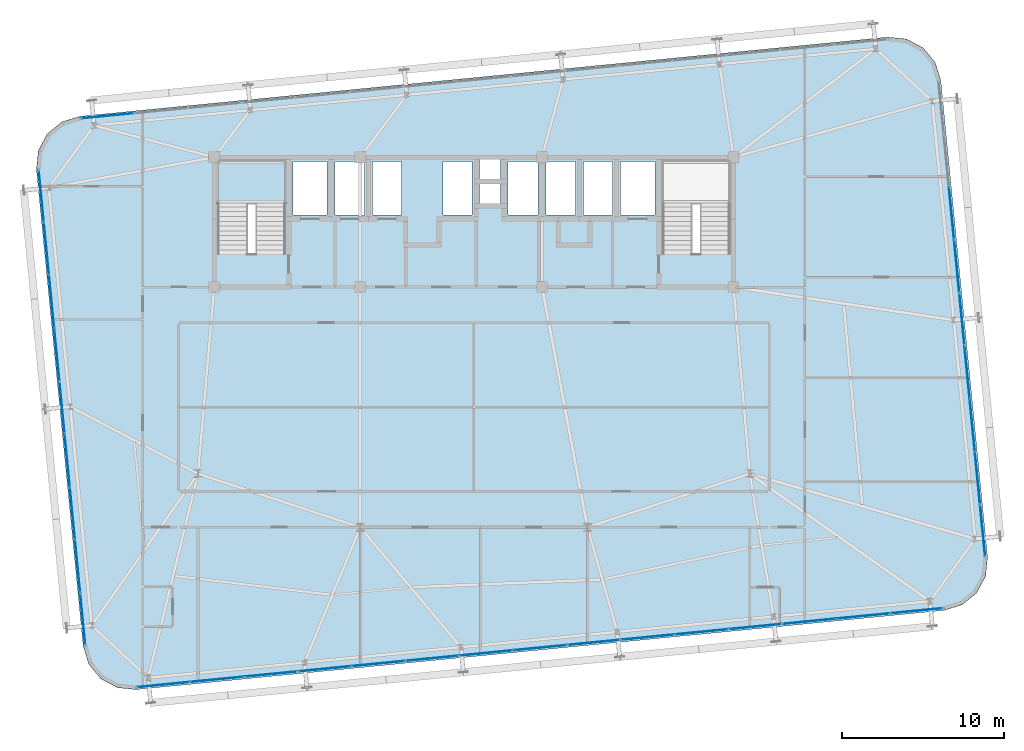
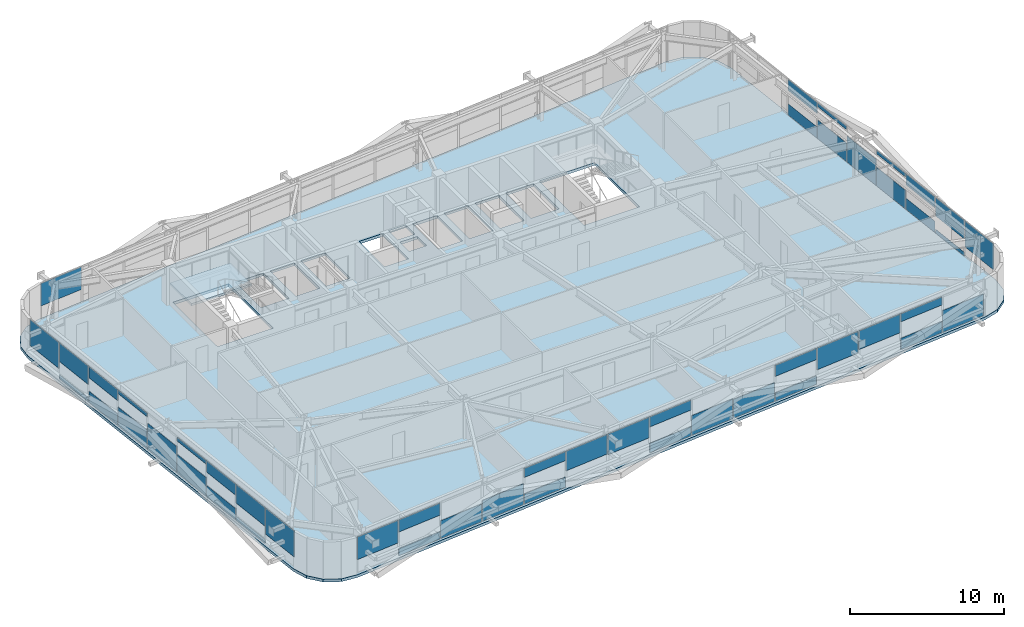
# One storey, part 36 of 52: 48 plates, 2 slabs, 5 elements without a shape of their own.
"""IFC4 building model written with IfcOpenShell, lengths in metres."""

import ifcopenshell
import ifcopenshell.guid

model = None  # the IFC model being written
_history = None  # IfcOwnerHistory: only IFC2X3 demands one
_inside = {}  # id of a spatial element -> (the spatial element, [elements in it])
_under = {}  # id of a project, library or spatial element -> (it, [spatial elements below it])
_declared = {}  # id of a project -> (the project, [libraries it declares])
_typed = {}  # id of a type object -> (the type object, [elements of that type])
_made_of = {}  # id of a material, layer set ... -> (it, [elements and type objects made of it])


def new_model(schema):
    """Start an empty IFC model of exactly this schema.

    Asked for "IFC4X3", IfcOpenShell would pick the latest addendum, in which some entities
    have other attributes; the version numbers below select the first issue.
    IFC2X3 requires an IfcOwnerHistory on every rooted entity: one is made here for all.
    """
    global model, _history
    if schema == "IFC4X3":
        model = ifcopenshell.file(schema_version=(4, 3, 0, 0))
    else:
        model = ifcopenshell.file(schema=schema)
    _inside.clear()
    _under.clear()
    _declared.clear()
    _typed.clear()
    _made_of.clear()
    _history = None
    if model.schema == "IFC2X3":
        org = make("IfcOrganization", Name="unknown")
        user = make(
            "IfcPersonAndOrganization",
            ThePerson=make("IfcPerson", FamilyName="unknown"),
            TheOrganization=org,
        )
        app = make(
            "IfcApplication",
            ApplicationDeveloper=org,
            Version="unknown",
            ApplicationFullName="unknown",
            ApplicationIdentifier="unknown",
        )
        _history = make(
            "IfcOwnerHistory",
            OwningUser=user,
            OwningApplication=app,
            ChangeAction="ADDED",
            CreationDate=0,
        )
    return model


def make(cls, **values):
    """One entity of the class cls with the attributes given. An attribute that is None is left unset."""
    return model.create_entity(
        cls, **{name: value for name, value in values.items() if value is not None}
    )


def rooted(cls, **values):
    """An entity with a GlobalId (a new one), such as an element, a storey or a relation."""
    return make(cls, GlobalId=ifcopenshell.guid.new(), OwnerHistory=_history, **values)


def si_unit(unit_type, name, prefix=None):
    """IfcSIUnit, for example si_unit("LENGTHUNIT", "METRE", prefix="MILLI")."""
    return make("IfcSIUnit", UnitType=unit_type, Prefix=prefix, Name=name)


def assignment(units):
    """IfcUnitAssignment: the units of a project."""
    return None if units is None else make("IfcUnitAssignment", Units=units)


def point(xyz):
    """IfcCartesianPoint."""
    return None if xyz is None else make("IfcCartesianPoint", Coordinates=xyz)


def direction(xyz):
    """IfcDirection."""
    return None if xyz is None else make("IfcDirection", DirectionRatios=xyz)


def frame(location, z_axis=None, x_axis=None):
    """IfcAxis2Placement3D, a coordinate frame: its origin and axes. An axis left out is left unset."""
    return make(
        "IfcAxis2Placement3D",
        Location=point(location),
        Axis=direction(z_axis),
        RefDirection=direction(x_axis),
    )


def frame_2d(location, x_axis=None):
    """IfcAxis2Placement2D, a coordinate frame in the plane: its origin and x axis."""
    return make(
        "IfcAxis2Placement2D", Location=point(location), RefDirection=direction(x_axis)
    )


def origin():
    """The frame at (0, 0, 0) with its axes left unset."""
    return frame((0.0, 0.0, 0.0))


def origin_2d():
    """The frame at (0, 0) in the plane with its x axis left unset."""
    return frame_2d((0.0, 0.0))


def place(relative_to, where):
    """IfcLocalPlacement: puts the frame where relative to a parent placement (None: the world)."""
    return make(
        "IfcLocalPlacement", PlacementRelTo=relative_to, RelativePlacement=where
    )


def context(
    kind, dimensions, precision=None, world=None, true_north=None, identifier=None
):
    """IfcGeometricRepresentationContext, for example the 3D "Model" context."""
    return make(
        "IfcGeometricRepresentationContext",
        ContextIdentifier=identifier,
        ContextType=kind,
        CoordinateSpaceDimension=dimensions,
        Precision=precision,
        WorldCoordinateSystem=world,
        TrueNorth=true_north,
    )


def subcontext(parent, identifier, kind, view, scale=None):
    """IfcGeometricRepresentationSubContext, for example "Body" below "Model"."""
    return make(
        "IfcGeometricRepresentationSubContext",
        ContextIdentifier=identifier,
        ContextType=kind,
        ParentContext=parent,
        TargetScale=scale,
        TargetView=view,
    )


def project(units=None, contexts=None):
    """IfcProject with its units and contexts."""
    return rooted(
        "IfcProject",
        Name="project",
        RepresentationContexts=contexts,
        UnitsInContext=assignment(units),
    )


def spatial(cls, under=None, at=None, **own):
    """A site, building, storey or space (cls), placed at a placement, below another one or the project."""
    s = rooted(cls, ObjectPlacement=at, **own)
    if under is not None:
        _under.setdefault(under.id(), (under, []))[1].append(s)
    return s


def polyline(points):
    """IfcPolyline through the points."""
    return make("IfcPolyline", Points=[point(p) for p in points])


def profile(cls, at=None, kind="AREA", **sizes):
    """A parametric profile (cls). Its sizes go by their IFC names, for example OverallWidth=200.0."""
    return make(cls, ProfileType=kind, Position=at, **sizes)


def rectangle(**sizes):
    """IfcRectangleProfileDef."""
    return profile("IfcRectangleProfileDef", **sizes)


def outline(outer, holes=None, kind="AREA"):
    """IfcArbitraryClosedProfileDef: a profile drawn as a closed curve; with holes, ...WithVoids."""
    if holes is None:
        return make("IfcArbitraryClosedProfileDef", ProfileType=kind, OuterCurve=outer)
    return make(
        "IfcArbitraryProfileDefWithVoids",
        ProfileType=kind,
        OuterCurve=outer,
        InnerCurves=holes,
    )


def extrude(swept, where, along, depth):
    """IfcExtrudedAreaSolid: the profile swept, set in the frame where, extruded along a direction by depth."""
    return make(
        "IfcExtrudedAreaSolid",
        SweptArea=swept,
        Position=where,
        ExtrudedDirection=direction(along),
        Depth=depth,
    )


def shape(context_of_items, identifier, shape_type, items):
    """IfcShapeRepresentation: the items that make up one representation, for example the "Body"."""
    return make(
        "IfcShapeRepresentation",
        ContextOfItems=context_of_items,
        RepresentationIdentifier=identifier,
        RepresentationType=shape_type,
        Items=items,
    )


def source(mapping_origin, context_of_items, identifier, shape_type, items):
    """IfcRepresentationMap: a shape defined once, which mapped items show again and again."""
    return make(
        "IfcRepresentationMap",
        MappingOrigin=mapping_origin,
        MappedRepresentation=shape(context_of_items, identifier, shape_type, items),
    )


def transform(
    local_origin,
    x_axis=None,
    y_axis=None,
    z_axis=None,
    scale=None,
    scale2=None,
    scale3=None,
    uniform=True,
):
    """IfcCartesianTransformationOperator3D, or its non-uniform kind. x_axis, y_axis, z_axis: its Axis1, 2, 3."""
    if uniform:
        return make(
            "IfcCartesianTransformationOperator3D",
            Axis1=direction(x_axis),
            Axis2=direction(y_axis),
            LocalOrigin=point(local_origin),
            Scale=scale,
            Axis3=direction(z_axis),
        )
    return make(
        "IfcCartesianTransformationOperator3DnonUniform",
        Axis1=direction(x_axis),
        Axis2=direction(y_axis),
        LocalOrigin=point(local_origin),
        Scale=scale,
        Axis3=direction(z_axis),
        Scale2=scale2,
        Scale3=scale3,
    )


def mapped(mapping_source, mapping_target):
    """IfcMappedItem: shows the shape of a source again, moved by a transform."""
    return make(
        "IfcMappedItem", MappingSource=mapping_source, MappingTarget=mapping_target
    )


def material(Name=None, Category=None):
    """IfcMaterial."""
    return make("IfcMaterial", Name=Name, Category=Category)


def layer(
    of_material, thickness, ventilated=None, Name=None, Category=None, Priority=None
):
    """IfcMaterialLayer: one layer of a wall or slab, of a material (None: an air gap)."""
    return make(
        "IfcMaterialLayer",
        Material=of_material,
        LayerThickness=thickness,
        IsVentilated=ventilated,
        Name=Name,
        Category=Category,
        Priority=Priority,
    )


def layer_set(layers, Name=None):
    """IfcMaterialLayerSet."""
    return make("IfcMaterialLayerSet", MaterialLayers=layers, LayerSetName=Name)


def made_of(thing, what):
    """Note that an element or type object is made of a material, layer set ...; save() writes the relation."""
    if what is not None:
        _made_of.setdefault(what.id(), (what, []))[1].append(thing)
    return thing


def type_object(cls, material=None, **own):
    """A type object (cls), such as IfcWallType, which elements share."""
    return made_of(rooted(cls, **own), material)


def element(
    cls,
    number,
    at=None,
    inside=None,
    cuts=None,
    type_object=None,
    material=None,
    context=None,
    identifier="Body",
    shape_type=None,
    held_by="IfcProductDefinitionShape",
    body=None,
    shapes=None,
    **own,
):
    """One element of the class cls, such as IfcWall. Its Tag is "e" and its number.

    at: its placement. inside: the storey or other place that contains it. cuts: it is an
    opening in that element (IfcRelVoidsElement). A single representation is given by context,
    identifier, shape_type and body (its items); several are given by shapes. held_by: the class
    of the entity that holds the representations. save() writes the other relations.
    """
    e = rooted(cls, Tag="e%d" % number, ObjectPlacement=at, **own)
    if body is not None:
        shapes = [shape(context, identifier, shape_type, body)]
    if shapes is not None:
        e.Representation = make(held_by, Representations=shapes)
    if inside is not None:
        _inside.setdefault(inside.id(), (inside, []))[1].append(e)
    if cuts is not None:
        rooted(
            "IfcRelVoidsElement", RelatingBuildingElement=cuts, RelatedOpeningElement=e
        )
    if type_object is not None:
        _typed.setdefault(type_object.id(), (type_object, []))[1].append(e)
    return made_of(e, material)


def aggregate(whole, parts):
    """IfcRelAggregates: a whole, such as a stair, and the parts it consists of."""
    return rooted("IfcRelAggregates", RelatingObject=whole, RelatedObjects=parts)


def save(model, path):
    """Write the relations noted so far, then the file.

    IfcRelAggregates (storeys below a building ...), IfcRelContainedInSpatialStructure (elements
    in a storey), IfcRelDefinesByType, IfcRelAssociatesMaterial and IfcRelDeclares: one each for
    every whole, place, type object, material and project.
    """
    for whole, parts in _under.values():
        aggregate(whole, parts)
    for where, things in _inside.values():
        rooted(
            "IfcRelContainedInSpatialStructure",
            RelatedElements=things,
            RelatingStructure=where,
        )
    for kind, things in _typed.values():
        rooted("IfcRelDefinesByType", RelatedObjects=things, RelatingType=kind)
    for what, things in _made_of.values():
        rooted("IfcRelAssociatesMaterial", RelatedObjects=things, RelatingMaterial=what)
    for by, libraries in _declared.values():
        rooted("IfcRelDeclares", RelatingContext=by, RelatedDefinitions=libraries)
    model.write(path)


model = new_model("IFC4")

# Units and contexts
model_context = context("Model", 3, precision=1e-05, world=origin(), true_north=direction((0.0, 1.0)))
body_context = subcontext(model_context, "Body", "Model", "MODEL_VIEW")
ifc_project = project(units=[si_unit("LENGTHUNIT", "METRE"), si_unit("AREAUNIT", "SQUARE_METRE"), si_unit("VOLUMEUNIT", "CUBIC_METRE"), si_unit("PLANEANGLEUNIT", "RADIAN"), si_unit("MASSUNIT", "GRAM", prefix="KILO")], contexts=[model_context])

# Site, building, storey
site_placement = place(None, origin())
site = spatial("IfcSite", under=ifc_project, at=site_placement, CompositionType="ELEMENT")
building_placement = place(site_placement, origin())
building = spatial("IfcBuilding", under=site, at=building_placement, Name="Taldren Reach Tower", CompositionType="ELEMENT")
storey_placement = place(building_placement, frame((0.0, 0.0, 74.550048828125)))
storey = spatial("IfcBuildingStorey", under=building, at=storey_placement, Name="L22", CompositionType="ELEMENT", Elevation=74.550048828125)

# Slab
ifc_material_1 = material(Name="Concrete N40 (40 MPa)", Category="concrete")
ifc_layer_1 = layer(ifc_material_1, 0.219970703125)
ifc_layer_set_1 = layer_set([ifc_layer_1], Name="Concrete N40 (40 MPa)")
slab_type_1 = type_object("IfcSlabType", Name="SL-FLR-220", PredefinedType="FLOOR", material=ifc_layer_set_1)
slab_1_placement = place(storey_placement, frame((0.0, 0.0, -0.219970703125)))
element("IfcSlab", 1, at=slab_1_placement, inside=storey, type_object=slab_type_1, Name="Suspended floor slab L22", PredefinedType="FLOOR", context=body_context, shape_type="SweptSolid", body=[
    extrude(outline(polyline([(63.962890625, 4.07421875), (65.0830078125, 4.41357421875), (65.98828125, 5.15576171875), (66.54052734375, 6.187744140625), (66.65576171875, 7.352783203125), (63.777099609375, 36.7119140625), (63.437744140625, 37.832275390625), (62.695556640625, 38.7373046875), (61.663330078125, 39.28955078125), (60.49853515625, 39.40478515625), (10.7373046875, 34.525634765625), (9.616943359375, 34.1865234375), (8.711669921875, 33.4443359375), (8.159423828125, 32.412109375), (8.044189453125, 31.247314453125), (10.923095703125, 1.88818359375), (11.26220703125, 0.767822265625), (12.00439453125, -0.137451171875), (13.03662109375, -0.689697265625), (14.201416015625, -0.804931640625), (63.962890625, 4.07421875)]), holes=[polyline([(19.219970703125, 26.050048828125), (23.3798828125, 26.050048828125), (23.3798828125, 31.820068359375), (19.219970703125, 31.820068359375), (19.219970703125, 26.050048828125)]), polyline([(46.6201171875, 26.050048828125), (50.780029296875, 26.050048828125), (50.780029296875, 31.820068359375), (46.6201171875, 31.820068359375), (46.6201171875, 26.050048828125)]), polyline([(23.85009765625, 28.449951171875), (25.949951171875, 28.449951171875), (25.949951171875, 31.75), (23.85009765625, 31.75), (23.85009765625, 28.449951171875)]), polyline([(44.050048828125, 28.449951171875), (46.14990234375, 28.449951171875), (46.14990234375, 31.75), (44.050048828125, 31.75), (44.050048828125, 28.449951171875)]), polyline([(26.449951171875, 28.449951171875), (28.25, 28.449951171875), (28.25, 31.75), (26.449951171875, 31.75), (26.449951171875, 28.449951171875)]), polyline([(28.75, 28.449951171875), (30.550048828125, 28.449951171875), (30.550048828125, 31.75), (28.75, 31.75), (28.75, 28.449951171875)]), polyline([(33.10009765625, 28.449951171875), (34.89990234375, 28.449951171875), (34.89990234375, 31.75), (33.10009765625, 31.75), (33.10009765625, 28.449951171875)]), polyline([(37.10009765625, 28.449951171875), (38.949951171875, 28.449951171875), (38.949951171875, 31.75), (37.10009765625, 31.75), (37.10009765625, 28.449951171875)]), polyline([(39.449951171875, 28.449951171875), (41.25, 28.449951171875), (41.25, 31.75), (39.449951171875, 31.75), (39.449951171875, 28.449951171875)]), polyline([(41.75, 28.449951171875), (43.550048828125, 28.449951171875), (43.550048828125, 31.75), (41.75, 31.75), (41.75, 28.449951171875)]), polyline([(35.35009765625, 30.64990234375), (36.64990234375, 30.64990234375), (36.64990234375, 31.85009765625), (35.35009765625, 31.85009765625), (35.35009765625, 30.64990234375)]), polyline([(35.35009765625, 29.14990234375), (36.64990234375, 29.14990234375), (36.64990234375, 30.35009765625), (35.35009765625, 30.35009765625), (35.35009765625, 29.14990234375)])]), origin(), (0.0, 0.0, 1.0), 0.219970703125),
])

# Stair, slab
ifc_material_2 = material(Name="Concrete S50 (50 MPa)", Category="concrete")
stair_type = type_object("IfcStairType", Name="ST-HT-315", PredefinedType="HALF_TURN_STAIR", material=ifc_material_2)
stair_placement = place(storey_placement, origin())
stair = element("IfcStair", 2, at=stair_placement, inside=storey, type_object=stair_type, Name="Fire-isolated exit stair ST1 L22", PredefinedType="HALF_TURN_STAIR")
ifc_layer_2 = layer(ifc_material_2, 0.179931640625)
ifc_layer_set_2 = layer_set([ifc_layer_2], Name="Concrete S50 (50 MPa)")
slab_type_2 = type_object("IfcSlabType", Name="SL-LAND-180", PredefinedType="LANDING", material=ifc_layer_set_2)
slab_2_placement = place(storey_placement, frame((0.0, 0.0, 1.39501953125)))
slab_2 = element("IfcSlab", 3, at=slab_2_placement, type_object=slab_type_2, Name="ST1 landing 1", PredefinedType="LANDING", context=body_context, shape_type="SweptSolid", body=[
    extrude(outline(polyline([(19.0400390625, 29.135009765625), (23.56005859375, 29.135009765625), (23.56005859375, 31.8701171875), (19.0400390625, 31.8701171875), (19.0400390625, 29.135009765625)])), origin(), (0.0, 0.0, 1.0), 0.179931640625),
])
aggregate(stair, [slab_2])

# Curtain wall, plates
ifc_material_3 = material(Name="Aluminium and Low-E Glass Unitised System", Category="aluminium")
ifc_layer_3 = layer(ifc_material_3, 0.159912109375)
ifc_layer_set_3 = layer_set([ifc_layer_3], Name="Aluminium and Low-E Glass Unitised System")
curtain_wall_type = type_object("IfcCurtainWallType", Name="CW-SYS-3", PredefinedType="NOTDEFINED", material=ifc_layer_set_3)
curtain_wall_1_placement = place(storey_placement, origin())
curtain_wall_1 = element("IfcCurtainWall", 4, at=curtain_wall_1_placement, inside=storey, type_object=curtain_wall_type, Name="Unitised curtain wall CW-L22-S", PredefinedType="NOTDEFINED")
ifc_material_4 = material(Name="Solar-Control Double Glazed IGU", Category="glass")
ifc_layer_4 = layer(ifc_material_4, 0.031982421875)
ifc_layer_set_4 = layer_set([ifc_layer_4], Name="Solar-Control Double Glazed IGU")
plate_type = type_object("IfcPlateType", Name="CW-PNL-IGU32", PredefinedType="CURTAIN_PANEL", material=ifc_layer_set_4)
shared_shape_1 = source(origin(), body_context, "Body", "SweptSolid", [
    extrude(rectangle(XDim=3.23583984375, YDim=0.031982421875, at=origin_2d()), origin(), (0.0, 0.0, 1.0), 1.72509765625),
])
plate_1_placement = place(storey_placement, frame((62.274169921875, 4.04931640625, 0.054931640625), z_axis=(0.0, 0.0, 1.0), x_axis=(0.995227390247, 0.097582999046, 0.0)))
plate_1 = element("IfcPlate", 5, at=plate_1_placement, type_object=plate_type, Name="CW-3 panel 15.1 part 1", PredefinedType="CURTAIN_PANEL", context=body_context, shape_type="MappedRepresentation", body=[
    mapped(shared_shape_1, transform((0.0, 0.0, 0.0), scale=1.0)),
])
shared_shape_2 = source(origin(), body_context, "Body", "SweptSolid", [
    extrude(rectangle(XDim=3.268310546875, YDim=0.031982421875, at=origin_2d()), origin(), (0.0, 0.0, 1.0), 0.88818359375),
])
plate_2_placement = place(storey_placement, frame((58.972900390625, 3.7255859375, 0.054931640625), z_axis=(0.0, 0.0, 1.0), x_axis=(0.995227390247, 0.097582999046, 0.0)))
plate_2 = element("IfcPlate", 6, at=plate_2_placement, type_object=plate_type, Name="CW-3 panel 14.1 part 1", PredefinedType="CURTAIN_PANEL", context=body_context, shape_type="MappedRepresentation", body=[
    mapped(shared_shape_2, transform((0.0, 0.0, 0.0), scale=1.0)),
])
shared_shape_3 = source(origin(), body_context, "Body", "SweptSolid", [
    extrude(rectangle(XDim=3.268310546875, YDim=0.031982421875, at=origin_2d()), origin(), (0.0, 0.0, 1.0), 0.626953125),
])
plate_3_placement = place(storey_placement, frame((58.972900390625, 3.7255859375, 2.248046875), z_axis=(0.0, 0.0, 1.0), x_axis=(0.995227390247, 0.097582999046, 0.0)))
plate_3 = element("IfcPlate", 7, at=plate_3_placement, type_object=plate_type, Name="CW-3 panel 14.1 part 2", PredefinedType="CURTAIN_PANEL", context=body_context, shape_type="MappedRepresentation", body=[
    mapped(shared_shape_3, transform((0.0, 0.0, 0.0), scale=1.0)),
])
shared_shape_4 = source(origin(), body_context, "Body", "SweptSolid", [
    extrude(rectangle(XDim=3.268310546875, YDim=0.031982421875, at=origin_2d()), origin(), (0.0, 0.0, 1.0), 1.4638671875),
])
plate_4_placement = place(storey_placement, frame((55.655517578125, 3.400390625, 1.4111328125), z_axis=(0.0, 0.0, 1.0), x_axis=(0.995227390247, 0.097582999046, 0.0)))
plate_4 = element("IfcPlate", 8, at=plate_4_placement, type_object=plate_type, Name="CW-3 panel 13.1 part 1", PredefinedType="CURTAIN_PANEL", context=body_context, shape_type="MappedRepresentation", body=[
    mapped(shared_shape_4, transform((0.0, 0.0, 0.0), scale=1.0)),
])
shared_shape_5 = source(origin(), body_context, "Body", "SweptSolid", [
    extrude(rectangle(XDim=3.268310546875, YDim=0.031982421875, at=origin_2d()), origin(), (0.0, 0.0, 1.0), 1.704833984375),
])
plate_5_placement = place(storey_placement, frame((52.338134765625, 3.0751953125, 1.169921875), z_axis=(0.0, 0.0, 1.0), x_axis=(0.995227390247, 0.097582999046, 0.0)))
plate_5 = element("IfcPlate", 9, at=plate_5_placement, type_object=plate_type, Name="CW-3 panel 12.1 part 1", PredefinedType="CURTAIN_PANEL", context=body_context, shape_type="MappedRepresentation", body=[
    mapped(shared_shape_5, transform((0.0, 0.0, 0.0), scale=1.0)),
])
shared_shape_6 = source(origin(), body_context, "Body", "SweptSolid", [
    extrude(rectangle(XDim=3.268310546875, YDim=0.031982421875, at=origin_2d()), origin(), (0.0, 0.0, 1.0), 0.647216796875),
])
plate_6_placement = place(storey_placement, frame((49.020751953125, 2.749755859375, 0.05517578125), z_axis=(0.0, 0.0, 1.0), x_axis=(0.995227390247, 0.097582999046, 0.0)))
plate_6 = element("IfcPlate", 10, at=plate_6_placement, type_object=plate_type, Name="CW-3 panel 11.1 part 1", PredefinedType="CURTAIN_PANEL", context=body_context, shape_type="MappedRepresentation", body=[
    mapped(shared_shape_6, transform((0.0, 0.0, 0.0), scale=1.0)),
])
shared_shape_7 = source(origin(), body_context, "Body", "SweptSolid", [
    extrude(rectangle(XDim=3.268310546875, YDim=0.031982421875, at=origin_2d()), origin(), (0.0, 0.0, 1.0), 0.867919921875),
])
plate_7_placement = place(storey_placement, frame((49.020751953125, 2.749755859375, 2.0068359375), z_axis=(0.0, 0.0, 1.0), x_axis=(0.995227390247, 0.097582999046, 0.0)))
plate_7 = element("IfcPlate", 11, at=plate_7_placement, type_object=plate_type, Name="CW-3 panel 11.1 part 2", PredefinedType="CURTAIN_PANEL", context=body_context, shape_type="MappedRepresentation", body=[
    mapped(shared_shape_7, transform((0.0, 0.0, 0.0), scale=1.0)),
])
shared_shape_8 = source(origin(), body_context, "Body", "SweptSolid", [
    extrude(rectangle(XDim=3.268310546875, YDim=0.031982421875, at=origin_2d()), origin(), (0.0, 0.0, 1.0), 1.484130859375),
])
plate_8_placement = place(storey_placement, frame((45.703369140625, 2.424560546875, 0.0546875), z_axis=(0.0, 0.0, 1.0), x_axis=(0.995227390247, 0.097582999046, 0.0)))
plate_8 = element("IfcPlate", 12, at=plate_8_placement, type_object=plate_type, Name="CW-3 panel 10.1 part 1", PredefinedType="CURTAIN_PANEL", context=body_context, shape_type="MappedRepresentation", body=[
    mapped(shared_shape_8, transform((0.0, 0.0, 0.0), scale=1.0)),
])
shared_shape_9 = source(origin(), body_context, "Body", "SweptSolid", [
    extrude(rectangle(XDim=3.268310546875, YDim=0.031982421875, at=origin_2d()), origin(), (0.0, 0.0, 1.0), 1.564453125),
])
plate_9_placement = place(storey_placement, frame((42.3857421875, 2.099365234375, 0.054931640625), z_axis=(0.0, 0.0, 1.0), x_axis=(0.995227390247, 0.097582999046, 0.0)))
plate_9 = element("IfcPlate", 13, at=plate_9_placement, type_object=plate_type, Name="CW-3 panel 9.1 part 1", PredefinedType="CURTAIN_PANEL", context=body_context, shape_type="MappedRepresentation", body=[
    mapped(shared_shape_9, transform((0.0, 0.0, 0.0), scale=1.0)),
])
shared_shape_10 = source(origin(), body_context, "Body", "SweptSolid", [
    extrude(rectangle(XDim=3.268310546875, YDim=0.031982421875, at=origin_2d()), origin(), (0.0, 0.0, 1.0), 0.7275390625),
])
plate_10_placement = place(storey_placement, frame((39.068359375, 1.77392578125, 0.054931640625), z_axis=(0.0, 0.0, 1.0), x_axis=(0.995227390247, 0.097582999046, 0.0)))
plate_10 = element("IfcPlate", 14, at=plate_10_placement, type_object=plate_type, Name="CW-3 panel 8.1 part 1", PredefinedType="CURTAIN_PANEL", context=body_context, shape_type="MappedRepresentation", body=[
    mapped(shared_shape_10, transform((0.0, 0.0, 0.0), scale=1.0)),
])
shared_shape_11 = source(origin(), body_context, "Body", "SweptSolid", [
    extrude(rectangle(XDim=3.268310546875, YDim=0.031982421875, at=origin_2d()), origin(), (0.0, 0.0, 1.0), 0.78759765625),
])
plate_11_placement = place(storey_placement, frame((39.068359375, 1.77392578125, 2.08740234375), z_axis=(0.0, 0.0, 1.0), x_axis=(0.995227390247, 0.097582999046, 0.0)))
plate_11 = element("IfcPlate", 15, at=plate_11_placement, type_object=plate_type, Name="CW-3 panel 8.1 part 2", PredefinedType="CURTAIN_PANEL", context=body_context, shape_type="MappedRepresentation", body=[
    mapped(shared_shape_11, transform((0.0, 0.0, 0.0), scale=1.0)),
])
shared_shape_12 = source(origin(), body_context, "Body", "SweptSolid", [
    extrude(rectangle(XDim=3.268310546875, YDim=0.031982421875, at=origin_2d()), origin(), (0.0, 0.0, 1.0), 1.62451171875),
])
plate_12_placement = place(storey_placement, frame((35.7509765625, 1.44873046875, 1.25048828125), z_axis=(0.0, 0.0, 1.0), x_axis=(0.995227390247, 0.097582999046, 0.0)))
plate_12 = element("IfcPlate", 16, at=plate_12_placement, type_object=plate_type, Name="CW-3 panel 7.1 part 1", PredefinedType="CURTAIN_PANEL", context=body_context, shape_type="MappedRepresentation", body=[
    mapped(shared_shape_12, transform((0.0, 0.0, 0.0), scale=1.0)),
])
shared_shape_13 = source(origin(), body_context, "Body", "SweptSolid", [
    extrude(rectangle(XDim=3.268310546875, YDim=0.031982421875, at=origin_2d()), origin(), (0.0, 0.0, 1.0), 1.544189453125),
])
plate_13_placement = place(storey_placement, frame((32.43359375, 1.12353515625, 1.3310546875), z_axis=(0.0, 0.0, 1.0), x_axis=(0.995227390247, 0.097582999046, 0.0)))
plate_13 = element("IfcPlate", 17, at=plate_13_placement, type_object=plate_type, Name="CW-3 panel 6.1 part 1", PredefinedType="CURTAIN_PANEL", context=body_context, shape_type="MappedRepresentation", body=[
    mapped(shared_shape_13, transform((0.0, 0.0, 0.0), scale=1.0)),
])
shared_shape_14 = source(origin(), body_context, "Body", "SweptSolid", [
    extrude(rectangle(XDim=3.268310546875, YDim=0.031982421875, at=origin_2d()), origin(), (0.0, 0.0, 1.0), 0.807861328125),
])
plate_14_placement = place(storey_placement, frame((29.1162109375, 0.798095703125, 0.05517578125), z_axis=(0.0, 0.0, 1.0), x_axis=(0.995227390247, 0.097582999046, 0.0)))
plate_14 = element("IfcPlate", 18, at=plate_14_placement, type_object=plate_type, Name="CW-3 panel 5.1 part 1", PredefinedType="CURTAIN_PANEL", context=body_context, shape_type="MappedRepresentation", body=[
    mapped(shared_shape_14, transform((0.0, 0.0, 0.0), scale=1.0)),
])
shared_shape_15 = source(origin(), body_context, "Body", "SweptSolid", [
    extrude(rectangle(XDim=3.268310546875, YDim=0.031982421875, at=origin_2d()), origin(), (0.0, 0.0, 1.0), 0.707275390625),
])
plate_15_placement = place(storey_placement, frame((29.1162109375, 0.798095703125, 2.16748046875), z_axis=(0.0, 0.0, 1.0), x_axis=(0.995227390247, 0.097582999046, 0.0)))
plate_15 = element("IfcPlate", 19, at=plate_15_placement, type_object=plate_type, Name="CW-3 panel 5.1 part 2", PredefinedType="CURTAIN_PANEL", context=body_context, shape_type="MappedRepresentation", body=[
    mapped(shared_shape_15, transform((0.0, 0.0, 0.0), scale=1.0)),
])
shared_shape_16 = source(origin(), body_context, "Body", "SweptSolid", [
    extrude(rectangle(XDim=3.268310546875, YDim=0.031982421875, at=origin_2d()), origin(), (0.0, 0.0, 1.0), 1.644775390625),
])
plate_16_placement = place(storey_placement, frame((25.798828125, 0.472900390625, 0.05517578125), z_axis=(0.0, 0.0, 1.0), x_axis=(0.995227390247, 0.097582999046, 0.0)))
plate_16 = element("IfcPlate", 20, at=plate_16_placement, type_object=plate_type, Name="CW-3 panel 4.1 part 1", PredefinedType="CURTAIN_PANEL", context=body_context, shape_type="MappedRepresentation", body=[
    mapped(shared_shape_16, transform((0.0, 0.0, 0.0), scale=1.0)),
])
shared_shape_17 = source(origin(), body_context, "Body", "SweptSolid", [
    extrude(rectangle(XDim=3.268310546875, YDim=0.031982421875, at=origin_2d()), origin(), (0.0, 0.0, 1.0), 1.40380859375),
])
plate_17_placement = place(storey_placement, frame((22.481201171875, 0.147705078125, 0.054931640625), z_axis=(0.0, 0.0, 1.0), x_axis=(0.995227390247, 0.097582999046, 0.0)))
plate_17 = element("IfcPlate", 21, at=plate_17_placement, type_object=plate_type, Name="CW-3 panel 3.1 part 1", PredefinedType="CURTAIN_PANEL", context=body_context, shape_type="MappedRepresentation", body=[
    mapped(shared_shape_17, transform((0.0, 0.0, 0.0), scale=1.0)),
])
shared_shape_18 = source(origin(), body_context, "Body", "SweptSolid", [
    extrude(rectangle(XDim=3.268310546875, YDim=0.031982421875, at=origin_2d()), origin(), (0.0, 0.0, 1.0), 0.56689453125),
])
plate_18_placement = place(storey_placement, frame((19.163818359375, -0.177734375, 0.054931640625), z_axis=(0.0, 0.0, 1.0), x_axis=(0.995227390247, 0.097582999046, 0.0)))
plate_18 = element("IfcPlate", 22, at=plate_18_placement, type_object=plate_type, Name="CW-3 panel 2.1 part 1", PredefinedType="CURTAIN_PANEL", context=body_context, shape_type="MappedRepresentation", body=[
    mapped(shared_shape_18, transform((0.0, 0.0, 0.0), scale=1.0)),
])
shared_shape_19 = source(origin(), body_context, "Body", "SweptSolid", [
    extrude(rectangle(XDim=3.268310546875, YDim=0.031982421875, at=origin_2d()), origin(), (0.0, 0.0, 1.0), 0.9482421875),
])
plate_19_placement = place(storey_placement, frame((19.163818359375, -0.177734375, 1.9267578125), z_axis=(0.0, 0.0, 1.0), x_axis=(0.995227390247, 0.097582999046, 0.0)))
plate_19 = element("IfcPlate", 23, at=plate_19_placement, type_object=plate_type, Name="CW-3 panel 2.1 part 2", PredefinedType="CURTAIN_PANEL", context=body_context, shape_type="MappedRepresentation", body=[
    mapped(shared_shape_19, transform((0.0, 0.0, 0.0), scale=1.0)),
])
shared_shape_20 = source(origin(), body_context, "Body", "SweptSolid", [
    extrude(rectangle(XDim=3.23583984375, YDim=0.031982421875, at=origin_2d()), origin(), (0.0, 0.0, 1.0), 1.78515625),
])
plate_20_placement = place(storey_placement, frame((15.862548828125, -0.501220703125, 1.08984375), z_axis=(0.0, 0.0, 1.0), x_axis=(0.995227390247, 0.097582999046, 0.0)))
plate_20 = element("IfcPlate", 24, at=plate_20_placement, type_object=plate_type, Name="CW-3 panel 1.1 part 1", PredefinedType="CURTAIN_PANEL", context=body_context, shape_type="MappedRepresentation", body=[
    mapped(shared_shape_20, transform((0.0, 0.0, 0.0), scale=1.0)),
])
aggregate(curtain_wall_1, [plate_20, plate_18, plate_19, plate_17, plate_16, plate_14, plate_15, plate_13, plate_12, plate_10, plate_11, plate_9, plate_8, plate_6, plate_7, plate_5, plate_4, plate_2, plate_3, plate_1])

# Curtain wall, plate
curtain_wall_2_placement = place(storey_placement, origin())
curtain_wall_2 = element("IfcCurtainWall", 25, at=curtain_wall_2_placement, inside=storey, type_object=curtain_wall_type, Name="Unitised curtain wall CW-L22-N", PredefinedType="NOTDEFINED")
plate_21_placement = place(storey_placement, frame((12.42578125, 34.550537109375, 1.08984375), z_axis=(0.0, 0.0, 1.0), x_axis=(-0.995227390247, -0.097582999046, 0.0)))
plate_21 = element("IfcPlate", 26, at=plate_21_placement, type_object=plate_type, Name="CW-3 panel 15.1 part 1", PredefinedType="CURTAIN_PANEL", context=body_context, shape_type="MappedRepresentation", body=[
    mapped(shared_shape_20, transform((0.0, 0.0, 0.0), scale=1.0)),
])
aggregate(curtain_wall_2, [plate_21])

# Curtain wall, plates
curtain_wall_3_placement = place(storey_placement, origin())
curtain_wall_3 = element("IfcCurtainWall", 27, at=curtain_wall_3_placement, inside=storey, type_object=curtain_wall_type, Name="Unitised curtain wall CW-L22-W", PredefinedType="NOTDEFINED")
shared_shape_21 = source(origin(), body_context, "Body", "SweptSolid", [
    extrude(rectangle(XDim=3.18017578125, YDim=0.031982421875, at=origin_2d()), origin(), (0.0, 0.0, 1.0), 2.049560546875),
])
plate_22_placement = place(storey_placement, frame((8.34521484375, 29.61376953125, 0.8251953125), z_axis=(0.0, 0.0, 1.0), x_axis=(0.09758274098, -0.99522741555, 0.0)))
plate_22 = element("IfcPlate", 28, at=plate_22_placement, type_object=plate_type, Name="CW-3 panel 1.1 part 1", PredefinedType="CURTAIN_PANEL", context=body_context, shape_type="MappedRepresentation", body=[
    mapped(shared_shape_21, transform((0.0, 0.0, 0.0), scale=1.0)),
])
plate_23_placement = place(storey_placement, frame((10.90087890625, 3.549072265625, 0.8251953125), z_axis=(0.0, 0.0, 1.0), x_axis=(0.09758274098, -0.99522741555, 0.0)))
plate_23 = element("IfcPlate", 29, at=plate_23_placement, type_object=plate_type, Name="CW-3 panel 9.1 part 1", PredefinedType="CURTAIN_PANEL", context=body_context, shape_type="MappedRepresentation", body=[
    mapped(shared_shape_21, transform((0.0, 0.0, 0.0), scale=1.0)),
])

# Curtain wall, plate
curtain_wall_4_placement = place(storey_placement, origin())
curtain_wall_4 = element("IfcCurtainWall", 30, at=curtain_wall_4_placement, inside=storey, type_object=curtain_wall_type, Name="Unitised curtain wall CW-L22-E", PredefinedType="NOTDEFINED")
plate_24_placement = place(storey_placement, frame((66.35498046875, 8.986328125, 0.8251953125), z_axis=(0.0, 0.0, 1.0), x_axis=(-0.09758274098, 0.99522741555, 0.0)))
plate_24 = element("IfcPlate", 31, at=plate_24_placement, type_object=plate_type, Name="CW-3 panel 1.1 part 1", PredefinedType="CURTAIN_PANEL", context=body_context, shape_type="MappedRepresentation", body=[
    mapped(shared_shape_21, transform((0.0, 0.0, 0.0), scale=1.0)),
])

# Plate
shared_shape_22 = source(origin(), body_context, "Body", "SweptSolid", [
    extrude(rectangle(XDim=3.212890625, YDim=0.031982421875, at=origin_2d()), origin(), (0.0, 0.0, 1.0), 0.3046875),
])
plate_25_placement = place(storey_placement, frame((8.663330078125, 26.36767578125, 0.054931640625), z_axis=(0.0, 0.0, 1.0), x_axis=(0.09758274098, -0.99522741555, 0.0)))
plate_25 = element("IfcPlate", 32, at=plate_25_placement, type_object=plate_type, Name="CW-3 panel 2.1 part 1", PredefinedType="CURTAIN_PANEL", context=body_context, shape_type="MappedRepresentation", body=[
    mapped(shared_shape_22, transform((0.0, 0.0, 0.0), scale=1.0)),
])

plate_26_placement = place(storey_placement, frame((10.58251953125, 6.794921875, 0.054931640625), z_axis=(0.0, 0.0, 1.0), x_axis=(0.09758274098, -0.99522741555, 0.0)))
plate_26 = element("IfcPlate", 33, at=plate_26_placement, type_object=plate_type, Name="CW-3 panel 8.1 part 1", PredefinedType="CURTAIN_PANEL", context=body_context, shape_type="MappedRepresentation", body=[
    mapped(shared_shape_22, transform((0.0, 0.0, 0.0), scale=1.0)),
])

plate_27_placement = place(storey_placement, frame((66.03662109375, 12.232177734375, 0.054931640625), z_axis=(0.0, 0.0, 1.0), x_axis=(-0.09758274098, 0.99522741555, 0.0)))
plate_27 = element("IfcPlate", 34, at=plate_27_placement, type_object=plate_type, Name="CW-3 panel 2.1 part 1", PredefinedType="CURTAIN_PANEL", context=body_context, shape_type="MappedRepresentation", body=[
    mapped(shared_shape_22, transform((0.0, 0.0, 0.0), scale=1.0)),
])

shared_shape_23 = source(origin(), body_context, "Body", "SweptSolid", [
    extrude(rectangle(XDim=3.212890625, YDim=0.031982421875, at=origin_2d()), origin(), (0.0, 0.0, 1.0), 1.461669921875),
])
plate_28_placement = place(storey_placement, frame((8.663330078125, 26.36767578125, 1.4130859375), z_axis=(0.0, 0.0, 1.0), x_axis=(0.09758274098, -0.99522741555, 0.0)))
plate_28 = element("IfcPlate", 35, at=plate_28_placement, type_object=plate_type, Name="CW-3 panel 2.1 part 2", PredefinedType="CURTAIN_PANEL", context=body_context, shape_type="MappedRepresentation", body=[
    mapped(shared_shape_23, transform((0.0, 0.0, 0.0), scale=1.0)),
])

plate_29_placement = place(storey_placement, frame((10.58251953125, 6.794921875, 1.4130859375), z_axis=(0.0, 0.0, 1.0), x_axis=(0.09758274098, -0.99522741555, 0.0)))
plate_29 = element("IfcPlate", 36, at=plate_29_placement, type_object=plate_type, Name="CW-3 panel 8.1 part 2", PredefinedType="CURTAIN_PANEL", context=body_context, shape_type="MappedRepresentation", body=[
    mapped(shared_shape_23, transform((0.0, 0.0, 0.0), scale=1.0)),
])

plate_30_placement = place(storey_placement, frame((66.03662109375, 12.232177734375, 1.4130859375), z_axis=(0.0, 0.0, 1.0), x_axis=(-0.09758274098, 0.99522741555, 0.0)))
plate_30 = element("IfcPlate", 37, at=plate_30_placement, type_object=plate_type, Name="CW-3 panel 2.1 part 2", PredefinedType="CURTAIN_PANEL", context=body_context, shape_type="MappedRepresentation", body=[
    mapped(shared_shape_23, transform((0.0, 0.0, 0.0), scale=1.0)),
])

shared_shape_24 = source(origin(), body_context, "Body", "SweptSolid", [
    extrude(rectangle(XDim=3.212890625, YDim=0.031982421875, at=origin_2d()), origin(), (0.0, 0.0, 1.0), 0.892578125),
])
plate_31_placement = place(storey_placement, frame((8.983154296875, 23.105712890625, 0.054931640625), z_axis=(0.0, 0.0, 1.0), x_axis=(0.09758274098, -0.99522741555, 0.0)))
plate_31 = element("IfcPlate", 38, at=plate_31_placement, type_object=plate_type, Name="CW-3 panel 3.1 part 1", PredefinedType="CURTAIN_PANEL", context=body_context, shape_type="MappedRepresentation", body=[
    mapped(shared_shape_24, transform((0.0, 0.0, 0.0), scale=1.0)),
])

plate_32_placement = place(storey_placement, frame((10.2626953125, 10.05712890625, 0.054931640625), z_axis=(0.0, 0.0, 1.0), x_axis=(0.09758274098, -0.99522741555, 0.0)))
plate_32 = element("IfcPlate", 39, at=plate_32_placement, type_object=plate_type, Name="CW-3 panel 7.1 part 1", PredefinedType="CURTAIN_PANEL", context=body_context, shape_type="MappedRepresentation", body=[
    mapped(shared_shape_24, transform((0.0, 0.0, 0.0), scale=1.0)),
])

plate_33_placement = place(storey_placement, frame((65.716796875, 15.494384765625, 0.054931640625), z_axis=(0.0, 0.0, 1.0), x_axis=(-0.09758274098, 0.99522741555, 0.0)))
plate_33 = element("IfcPlate", 40, at=plate_33_placement, type_object=plate_type, Name="CW-3 panel 3.1 part 1", PredefinedType="CURTAIN_PANEL", context=body_context, shape_type="MappedRepresentation", body=[
    mapped(shared_shape_24, transform((0.0, 0.0, 0.0), scale=1.0)),
])

plate_34_placement = place(storey_placement, frame((64.437255859375, 28.54296875, 0.054931640625), z_axis=(0.0, 0.0, 1.0), x_axis=(-0.09758274098, 0.99522741555, 0.0)))
plate_34 = element("IfcPlate", 41, at=plate_34_placement, type_object=plate_type, Name="CW-3 panel 7.1 part 1", PredefinedType="CURTAIN_PANEL", context=body_context, shape_type="MappedRepresentation", body=[
    mapped(shared_shape_24, transform((0.0, 0.0, 0.0), scale=1.0)),
])

shared_shape_25 = source(origin(), body_context, "Body", "SweptSolid", [
    extrude(rectangle(XDim=3.212890625, YDim=0.031982421875, at=origin_2d()), origin(), (0.0, 0.0, 1.0), 0.873779296875),
])
plate_35_placement = place(storey_placement, frame((8.983154296875, 23.105712890625, 2.0009765625), z_axis=(0.0, 0.0, 1.0), x_axis=(0.09758274098, -0.99522741555, 0.0)))
plate_35 = element("IfcPlate", 42, at=plate_35_placement, type_object=plate_type, Name="CW-3 panel 3.1 part 2", PredefinedType="CURTAIN_PANEL", context=body_context, shape_type="MappedRepresentation", body=[
    mapped(shared_shape_25, transform((0.0, 0.0, 0.0), scale=1.0)),
])

plate_36_placement = place(storey_placement, frame((10.2626953125, 10.05712890625, 2.0009765625), z_axis=(0.0, 0.0, 1.0), x_axis=(0.09758274098, -0.99522741555, 0.0)))
plate_36 = element("IfcPlate", 43, at=plate_36_placement, type_object=plate_type, Name="CW-3 panel 7.1 part 2", PredefinedType="CURTAIN_PANEL", context=body_context, shape_type="MappedRepresentation", body=[
    mapped(shared_shape_25, transform((0.0, 0.0, 0.0), scale=1.0)),
])

plate_37_placement = place(storey_placement, frame((65.716796875, 15.494384765625, 2.0009765625), z_axis=(0.0, 0.0, 1.0), x_axis=(-0.09758274098, 0.99522741555, 0.0)))
plate_37 = element("IfcPlate", 44, at=plate_37_placement, type_object=plate_type, Name="CW-3 panel 3.1 part 2", PredefinedType="CURTAIN_PANEL", context=body_context, shape_type="MappedRepresentation", body=[
    mapped(shared_shape_25, transform((0.0, 0.0, 0.0), scale=1.0)),
])

plate_38_placement = place(storey_placement, frame((64.437255859375, 28.54296875, 2.0009765625), z_axis=(0.0, 0.0, 1.0), x_axis=(-0.09758274098, 0.99522741555, 0.0)))
plate_38 = element("IfcPlate", 45, at=plate_38_placement, type_object=plate_type, Name="CW-3 panel 7.1 part 2", PredefinedType="CURTAIN_PANEL", context=body_context, shape_type="MappedRepresentation", body=[
    mapped(shared_shape_25, transform((0.0, 0.0, 0.0), scale=1.0)),
])

shared_shape_26 = source(origin(), body_context, "Body", "SweptSolid", [
    extrude(rectangle(XDim=3.212890625, YDim=0.031982421875, at=origin_2d()), origin(), (0.0, 0.0, 1.0), 1.48046875),
])
plate_39_placement = place(storey_placement, frame((9.30322265625, 19.843505859375, 0.054931640625), z_axis=(0.0, 0.0, 1.0), x_axis=(0.09758274098, -0.99522741555, 0.0)))
plate_39 = element("IfcPlate", 46, at=plate_39_placement, type_object=plate_type, Name="CW-3 panel 4.1 part 1", PredefinedType="CURTAIN_PANEL", context=body_context, shape_type="MappedRepresentation", body=[
    mapped(shared_shape_26, transform((0.0, 0.0, 0.0), scale=1.0)),
])

plate_40_placement = place(storey_placement, frame((9.94287109375, 13.319091796875, 0.054931640625), z_axis=(0.0, 0.0, 1.0), x_axis=(0.09758274098, -0.99522741555, 0.0)))
plate_40 = element("IfcPlate", 47, at=plate_40_placement, type_object=plate_type, Name="CW-3 panel 6.1 part 1", PredefinedType="CURTAIN_PANEL", context=body_context, shape_type="MappedRepresentation", body=[
    mapped(shared_shape_26, transform((0.0, 0.0, 0.0), scale=1.0)),
])

plate_41_placement = place(storey_placement, frame((65.39697265625, 18.756591796875, 0.054931640625), z_axis=(0.0, 0.0, 1.0), x_axis=(-0.09758274098, 0.99522741555, 0.0)))
plate_41 = element("IfcPlate", 48, at=plate_41_placement, type_object=plate_type, Name="CW-3 panel 4.1 part 1", PredefinedType="CURTAIN_PANEL", context=body_context, shape_type="MappedRepresentation", body=[
    mapped(shared_shape_26, transform((0.0, 0.0, 0.0), scale=1.0)),
])

plate_42_placement = place(storey_placement, frame((64.757080078125, 25.28076171875, 0.054931640625), z_axis=(0.0, 0.0, 1.0), x_axis=(-0.09758274098, 0.99522741555, 0.0)))
plate_42 = element("IfcPlate", 49, at=plate_42_placement, type_object=plate_type, Name="CW-3 panel 6.1 part 1", PredefinedType="CURTAIN_PANEL", context=body_context, shape_type="MappedRepresentation", body=[
    mapped(shared_shape_26, transform((0.0, 0.0, 0.0), scale=1.0)),
])

shared_shape_27 = source(origin(), body_context, "Body", "SweptSolid", [
    extrude(rectangle(XDim=3.212890625, YDim=0.031982421875, at=origin_2d()), origin(), (0.0, 0.0, 1.0), 0.2861328125),
])
plate_43_placement = place(storey_placement, frame((9.30322265625, 19.843505859375, 2.5888671875), z_axis=(0.0, 0.0, 1.0), x_axis=(0.09758274098, -0.99522741555, 0.0)))
plate_43 = element("IfcPlate", 50, at=plate_43_placement, type_object=plate_type, Name="CW-3 panel 4.1 part 2", PredefinedType="CURTAIN_PANEL", context=body_context, shape_type="MappedRepresentation", body=[
    mapped(shared_shape_27, transform((0.0, 0.0, 0.0), scale=1.0)),
])

plate_44_placement = place(storey_placement, frame((9.94287109375, 13.319091796875, 2.5888671875), z_axis=(0.0, 0.0, 1.0), x_axis=(0.09758274098, -0.99522741555, 0.0)))
plate_44 = element("IfcPlate", 51, at=plate_44_placement, type_object=plate_type, Name="CW-3 panel 6.1 part 2", PredefinedType="CURTAIN_PANEL", context=body_context, shape_type="MappedRepresentation", body=[
    mapped(shared_shape_27, transform((0.0, 0.0, 0.0), scale=1.0)),
])

plate_45_placement = place(storey_placement, frame((65.39697265625, 18.756591796875, 2.5888671875), z_axis=(0.0, 0.0, 1.0), x_axis=(-0.09758274098, 0.99522741555, 0.0)))
plate_45 = element("IfcPlate", 52, at=plate_45_placement, type_object=plate_type, Name="CW-3 panel 4.1 part 2", PredefinedType="CURTAIN_PANEL", context=body_context, shape_type="MappedRepresentation", body=[
    mapped(shared_shape_27, transform((0.0, 0.0, 0.0), scale=1.0)),
])

plate_46_placement = place(storey_placement, frame((64.757080078125, 25.28076171875, 2.5888671875), z_axis=(0.0, 0.0, 1.0), x_axis=(-0.09758274098, 0.99522741555, 0.0)))
plate_46 = element("IfcPlate", 53, at=plate_46_placement, type_object=plate_type, Name="CW-3 panel 6.1 part 2", PredefinedType="CURTAIN_PANEL", context=body_context, shape_type="MappedRepresentation", body=[
    mapped(shared_shape_27, transform((0.0, 0.0, 0.0), scale=1.0)),
])

shared_shape_28 = source(origin(), body_context, "Body", "SweptSolid", [
    extrude(rectangle(XDim=3.212890625, YDim=0.031982421875, at=origin_2d()), origin(), (0.0, 0.0, 1.0), 2.068359375),
])
plate_47_placement = place(storey_placement, frame((9.623046875, 16.581298828125, 0.054931640625), z_axis=(0.0, 0.0, 1.0), x_axis=(0.09758274098, -0.99522741555, 0.0)))
plate_47 = element("IfcPlate", 54, at=plate_47_placement, type_object=plate_type, Name="CW-3 panel 5.1 part 1", PredefinedType="CURTAIN_PANEL", context=body_context, shape_type="MappedRepresentation", body=[
    mapped(shared_shape_28, transform((0.0, 0.0, 0.0), scale=1.0)),
])

aggregate(curtain_wall_3, [plate_22, plate_25, plate_28, plate_31, plate_35, plate_39, plate_43, plate_47, plate_40, plate_44, plate_32, plate_36, plate_26, plate_29, plate_23])

plate_48_placement = place(storey_placement, frame((65.0771484375, 22.0185546875, 0.054931640625), z_axis=(0.0, 0.0, 1.0), x_axis=(-0.09758274098, 0.99522741555, 0.0)))
plate_48 = element("IfcPlate", 55, at=plate_48_placement, type_object=plate_type, Name="CW-3 panel 5.1 part 1", PredefinedType="CURTAIN_PANEL", context=body_context, shape_type="MappedRepresentation", body=[
    mapped(shared_shape_28, transform((0.0, 0.0, 0.0), scale=1.0)),
])

aggregate(curtain_wall_4, [plate_24, plate_27, plate_30, plate_33, plate_37, plate_41, plate_45, plate_48, plate_42, plate_46, plate_34, plate_38])

save(model, "model.ifc")
